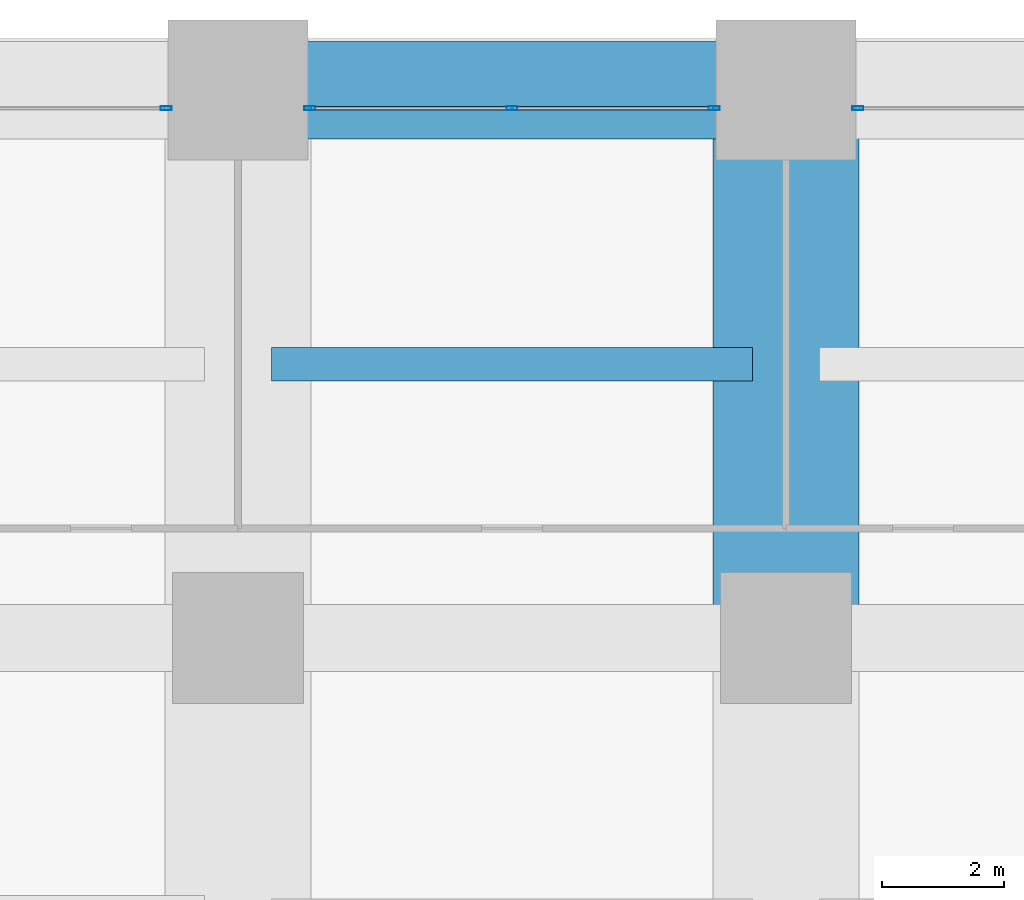
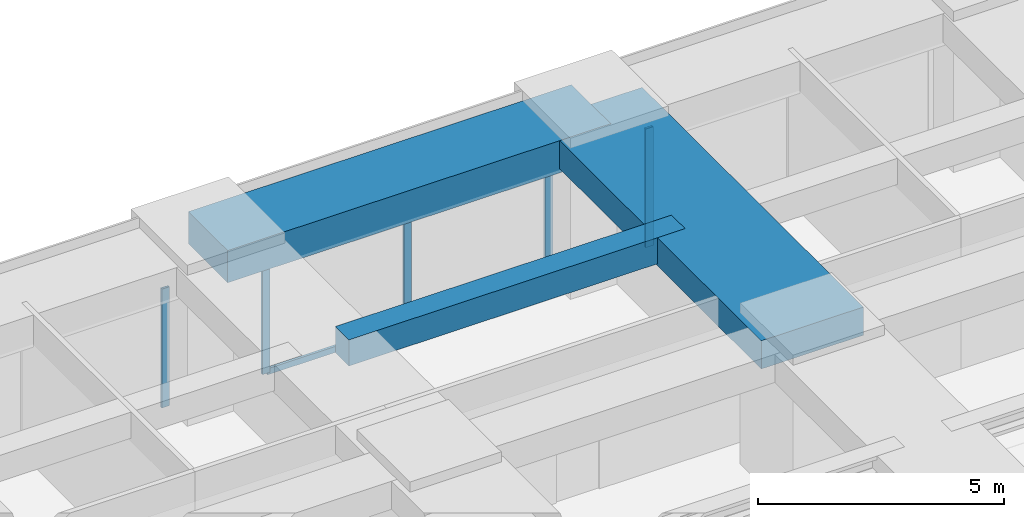
# One storey, part 29 of 44: 6 members, 3 beams, 3 elements without a shape of their own.
"""IFC4 building model written with IfcOpenShell, lengths in metres."""

from ifc_helpers import new_model, si_unit, direction, frame, origin, origin_2d, place, context, subcontext, project, spatial, rectangle, hollow_rectangle, extrude, material, material_profile, profile_set, type_object, element, aggregate, save


model = new_model("IFC4")

# Units and contexts
model_context = context("Model", 3, precision=1e-05, world=origin(), true_north=direction((0.0, 1.0)))
body_context = subcontext(model_context, "Body", "Model", "MODEL_VIEW")
ifc_project = project(units=[si_unit("LENGTHUNIT", "METRE"), si_unit("AREAUNIT", "SQUARE_METRE"), si_unit("VOLUMEUNIT", "CUBIC_METRE"), si_unit("PLANEANGLEUNIT", "RADIAN"), si_unit("MASSUNIT", "GRAM", prefix="KILO")], contexts=[model_context])

# Site, building, storey
site_placement = place(None, origin())
site = spatial("IfcSite", under=ifc_project, at=site_placement, CompositionType="ELEMENT")
building_placement = place(site_placement, origin())
building = spatial("IfcBuilding", under=site, at=building_placement, Name="Zorevar Civic Tower", CompositionType="ELEMENT")
storey_placement = place(building_placement, frame((0.0, 0.0, 63.800048828125)))
storey = spatial("IfcBuildingStorey", under=building, at=storey_placement, Name="L15", CompositionType="ELEMENT", Elevation=63.800048828125)

# Beams
ifc_material_1 = material(Name="Concrete C50/60", Category="concrete")
ifc_material_profile_1 = material_profile(ifc_material_1, rectangle(XDim=2.39990234375, YDim=0.699951171875, at=origin_2d()), Name="RC 2400x700")
ifc_profile_set_1 = profile_set([ifc_material_profile_1], Name="Concrete C50/60")
beam_type_1 = type_object("IfcBeamType", Name="Beam RC 2400x700", PredefinedType="BEAM", material=ifc_profile_set_1)
beam_1_placement = place(storey_placement, frame((27.0, 45.0, 3.39990234375), z_axis=(0.0, 1.0, 0.0), x_axis=(-1.0, 0.0, 0.0)))
element("IfcBeam", 1, at=beam_1_placement, inside=storey, type_object=beam_type_1, Name="Girder L16", PredefinedType="BEAM", context=body_context, shape_type="SweptSolid", body=[
    extrude(rectangle(XDim=2.39990234375, YDim=0.699951171875, at=origin_2d()), origin(), (0.0, 0.0, 1.0), 9.0),
])
ifc_material_2 = material(Name="Concrete C50/60", Category="concrete")
ifc_material_profile_2 = material_profile(ifc_material_2, rectangle(XDim=0.550048828125, YDim=0.64990234375, at=origin_2d()), Name="RC 550x650")
ifc_profile_set_2 = profile_set([ifc_material_profile_2], Name="Concrete C50/60")
beam_type_2 = type_object("IfcBeamType", Name="Beam RC 550x650", PredefinedType="BEAM", material=ifc_profile_set_2)
beam_2_placement = place(storey_placement, frame((18.550048828125, 49.5, 3.425048828125), z_axis=(1.0, 0.0, 0.0), x_axis=(0.0, 1.0, 0.0)))
element("IfcBeam", 2, at=beam_2_placement, inside=storey, type_object=beam_type_2, Name="Secondary beam L16", PredefinedType="BEAM", context=body_context, shape_type="SweptSolid", body=[
    extrude(rectangle(XDim=0.550048828125, YDim=0.64990234375, at=origin_2d()), origin(), (0.0, 0.0, 1.0), 7.89990234375),
])

# Curtain wall, member
ifc_material_3 = material(Name="Dark grey solar-control glass in black aluminium frame", Category="aluminium")
curtain_wall_type = type_object("IfcCurtainWallType", Name="Curtain wall CW2 low zone", PredefinedType="NOTDEFINED", material=ifc_material_3)
curtain_wall_1_placement = place(storey_placement, origin())
curtain_wall_1 = element("IfcCurtainWall", 3, at=curtain_wall_1_placement, inside=storey, type_object=curtain_wall_type, Name="CW2 L15", PredefinedType="NOTDEFINED")
ifc_material_4 = material(Name="Aluminium, black anodised", Category="aluminium")
ifc_material_profile_3 = material_profile(ifc_material_4, hollow_rectangle(XDim=0.06005859375, YDim=0.179931640625, WallThickness=0.00390625, at=origin_2d()), Name="AL 180x60x4")
ifc_profile_set_3 = profile_set([ifc_material_profile_3], Name="Aluminium, black anodised")
member_type_1 = type_object("IfcMemberType", Name="CW2 mullion AL 180x60x4", PredefinedType="MULLION", material=ifc_profile_set_3)
member_1_placement = place(storey_placement, frame((16.820068359375, 53.699951171875, 0.0), z_axis=(0.0, 0.0, 1.0), x_axis=(0.0, 1.0, 0.0)))
member_1 = element("IfcMember", 4, at=member_1_placement, type_object=member_type_1, Name="CW2 mullion 3", PredefinedType="MULLION", context=body_context, shape_type="SweptSolid", body=[
    extrude(hollow_rectangle(XDim=0.06005859375, YDim=0.179931640625, WallThickness=0.00390625, at=origin_2d()), origin(), (0.0, 0.0, 1.0), 2.949951171875),
])
aggregate(curtain_wall_1, [member_1])

# Curtain wall, members
curtain_wall_2_placement = place(storey_placement, origin())
curtain_wall_2 = element("IfcCurtainWall", 5, at=curtain_wall_2_placement, inside=storey, type_object=curtain_wall_type, Name="CW2 L15", PredefinedType="NOTDEFINED")
member_2_placement = place(storey_placement, frame((19.179931640625, 53.699951171875, 0.0), z_axis=(0.0, 0.0, 1.0), x_axis=(0.0, 1.0, 0.0)))
member_2 = element("IfcMember", 6, at=member_2_placement, type_object=member_type_1, Name="CW2 mullion 1", PredefinedType="MULLION", context=body_context, shape_type="SweptSolid", body=[
    extrude(hollow_rectangle(XDim=0.06005859375, YDim=0.179931640625, WallThickness=0.00390625, at=origin_2d()), origin(), (0.0, 0.0, 1.0), 2.949951171875),
])
member_3_placement = place(storey_placement, frame((22.5, 53.699951171875, 0.06005859375), z_axis=(0.0, 0.0, 1.0), x_axis=(0.0, 1.0, 0.0)))
member_3 = element("IfcMember", 7, at=member_3_placement, type_object=member_type_1, Name="CW2 mullion 2", PredefinedType="MULLION", context=body_context, shape_type="SweptSolid", body=[
    extrude(hollow_rectangle(XDim=0.06005859375, YDim=0.179931640625, WallThickness=0.00390625, at=origin_2d()), origin(), (0.0, 0.0, 1.0), 2.889892578125),
])
member_4_placement = place(storey_placement, frame((25.820068359375, 53.699951171875, 0.0), z_axis=(0.0, 0.0, 1.0), x_axis=(0.0, 1.0, 0.0)))
member_4 = element("IfcMember", 8, at=member_4_placement, type_object=member_type_1, Name="CW2 mullion 3", PredefinedType="MULLION", context=body_context, shape_type="SweptSolid", body=[
    extrude(hollow_rectangle(XDim=0.06005859375, YDim=0.179931640625, WallThickness=0.00390625, at=origin_2d()), origin(), (0.0, 0.0, 1.0), 2.949951171875),
])

# Curtain wall, member
curtain_wall_3_placement = place(storey_placement, origin())
curtain_wall_3 = element("IfcCurtainWall", 9, at=curtain_wall_3_placement, inside=storey, type_object=curtain_wall_type, Name="CW2 L15", PredefinedType="NOTDEFINED")
member_5_placement = place(storey_placement, frame((28.179931640625, 53.699951171875, 0.0), z_axis=(0.0, 0.0, 1.0), x_axis=(0.0, 1.0, 0.0)))
member_5 = element("IfcMember", 10, at=member_5_placement, type_object=member_type_1, Name="CW2 mullion 1", PredefinedType="MULLION", context=body_context, shape_type="SweptSolid", body=[
    extrude(hollow_rectangle(XDim=0.06005859375, YDim=0.179931640625, WallThickness=0.00390625, at=origin_2d()), origin(), (0.0, 0.0, 1.0), 2.949951171875),
])
aggregate(curtain_wall_3, [member_5])

# Member
ifc_material_5 = material(Name="Aluminium, black anodised", Category="aluminium")
ifc_material_profile_4 = material_profile(ifc_material_5, hollow_rectangle(XDim=0.06005859375, YDim=0.14990234375, WallThickness=0.00390625, at=origin_2d()), Name="AL 150x60x4")
ifc_profile_set_4 = profile_set([ifc_material_profile_4], Name="Aluminium, black anodised")
member_type_2 = type_object("IfcMemberType", Name="CW2 transom AL 150x60x4", PredefinedType="USERDEFINED", material=ifc_profile_set_4)
member_6_placement = place(storey_placement, frame((19.2099609375, 53.699951171875, 0.030029296875), z_axis=(1.0, 0.0, 0.0), x_axis=(0.0, 1.0, 0.0)))
member_6 = element("IfcMember", 11, at=member_6_placement, type_object=member_type_2, Name="CW2 sill transom", ObjectType="TRANSOM", PredefinedType="USERDEFINED", context=body_context, shape_type="SweptSolid", body=[
    extrude(hollow_rectangle(XDim=0.06005859375, YDim=0.14990234375, WallThickness=0.00390625, at=origin_2d()), origin(), (0.0, 0.0, 1.0), 6.580078125),
])

aggregate(curtain_wall_2, [member_2, member_3, member_4, member_6])

# Beam
ifc_material_6 = material(Name="Concrete C50/60", Category="concrete")
ifc_material_profile_5 = material_profile(ifc_material_6, rectangle(XDim=1.60009765625, YDim=0.800048828125, at=origin_2d()), Name="RC 1600x800")
ifc_profile_set_5 = profile_set([ifc_material_profile_5], Name="Concrete C50/60")
beam_type_3 = type_object("IfcBeamType", Name="Edge beam RC 1600x800", PredefinedType="SPANDREL", material=ifc_profile_set_5)
beam_3_placement = place(storey_placement, frame((18.0, 54.0, 3.349853515625), z_axis=(1.0, 0.0, 0.0), x_axis=(0.0, 1.0, 0.0)))
element("IfcBeam", 12, at=beam_3_placement, inside=storey, type_object=beam_type_3, Name="Edge beam L16", PredefinedType="SPANDREL", context=body_context, shape_type="SweptSolid", body=[
    extrude(rectangle(XDim=1.60009765625, YDim=0.800048828125, at=origin_2d()), origin(), (0.0, 0.0, 1.0), 9.0),
])

save(model, "model.ifc")
